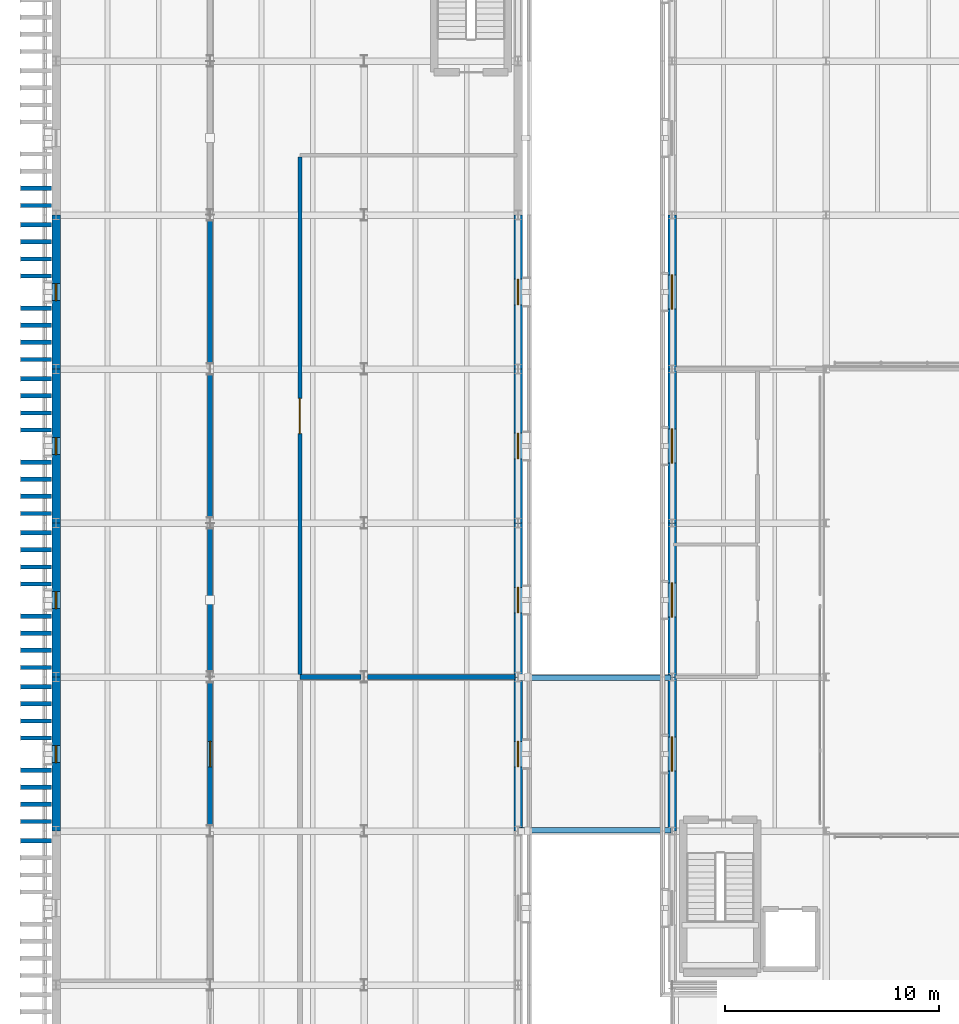
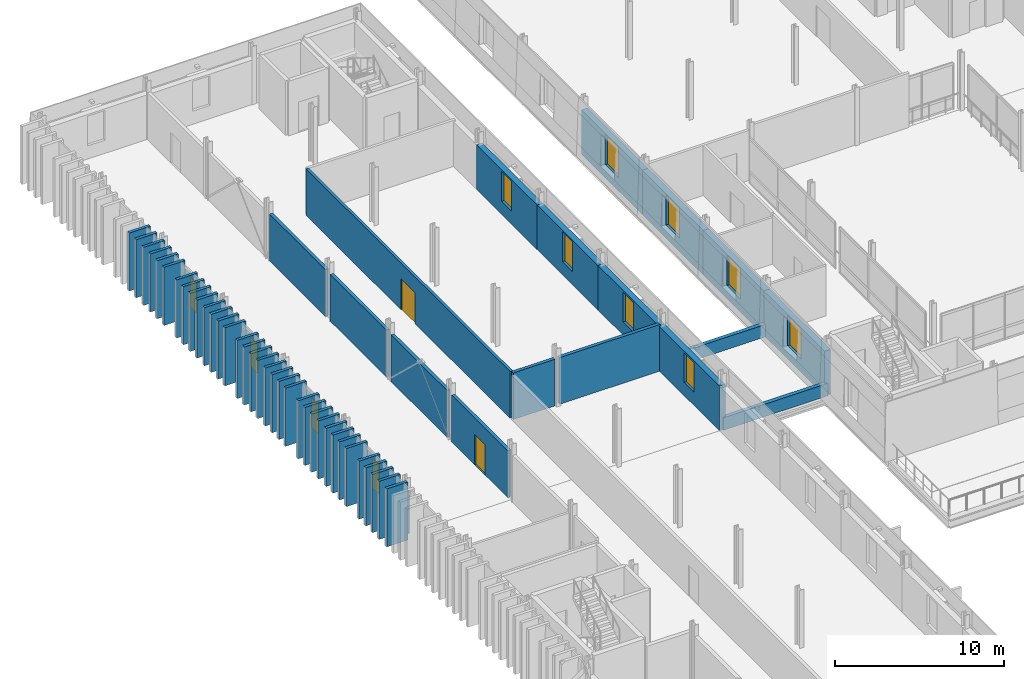
# One storey, part 60 of 91: 56 walls, 12 windows, 2 doors, 14 openings.
"""IFC4 building model written with IfcOpenShell, lengths in metres."""

from ifc_helpers import new_model, si_unit, direction, frame, frame_2d, origin, place, context, subcontext, project, spatial, rectangle, extrude, material, layer, layer_set, type_object, element, fill, save


model = new_model("IFC4")

# Units and contexts
model_context = context("Model", 3, precision=1e-05, world=origin(), true_north=direction((0.0, 1.0)))
body_context = subcontext(model_context, "Body", "Model", "MODEL_VIEW")
ifc_project = project(units=[si_unit("LENGTHUNIT", "METRE"), si_unit("AREAUNIT", "SQUARE_METRE"), si_unit("VOLUMEUNIT", "CUBIC_METRE"), si_unit("PLANEANGLEUNIT", "RADIAN"), si_unit("MASSUNIT", "GRAM", prefix="KILO")], contexts=[model_context])

# Site, building, storey
site_placement = place(None, origin())
site = spatial("IfcSite", under=ifc_project, at=site_placement, CompositionType="ELEMENT")
building_placement = place(site_placement, origin())
building = spatial("IfcBuilding", under=site, at=building_placement, Name="Narikvali Park Central Library", CompositionType="ELEMENT")
storey_placement = place(building_placement, frame((0.0, 0.0, 14.39990234375)))
storey = spatial("IfcBuildingStorey", under=building, at=storey_placement, Name="L03", CompositionType="ELEMENT", Elevation=14.39990234375)

# Walls
ifc_material_1 = material(Name="Reinforced Masonry Blockwork C30/37", Category="masonry")
ifc_layer_1 = layer(ifc_material_1, 0.219970703125, Name="Reinforced Masonry Blockwork C30/37")
ifc_layer_set_1 = layer_set([ifc_layer_1], Name="Reinforced Masonry Blockwork C30/37")
wall_type_1 = type_object("IfcWallType", Name="Archive Fire-Resisting Partition 220", PredefinedType="SOLIDWALL", material=ifc_layer_set_1)
wall_1_placement = place(storey_placement, frame((11.39990234375, 72.0, 0.0), z_axis=(0.0, 0.0, 1.0), x_axis=(1.0, 0.0, 0.0)))
element("IfcWall", 1, at=wall_1_placement, inside=storey, type_object=wall_type_1, Name="Closed Book Stacks L03 Partition N", PredefinedType="SOLIDWALL", context=body_context, shape_type="SweptSolid", body=[
    extrude(rectangle(XDim=2.84619140625, YDim=0.219970703125, at=frame_2d((1.423095703125, 0.0))), origin(), (0.0, 0.0, 1.0), 3.375),
])
wall_2_placement = place(storey_placement, frame((14.553955078125, 72.0, 0.0), z_axis=(0.0, 0.0, 1.0), x_axis=(1.0, 0.0, 0.0)))
element("IfcWall", 2, at=wall_2_placement, inside=storey, type_object=wall_type_1, Name="Closed Book Stacks L03 Partition N", PredefinedType="SOLIDWALL", context=body_context, shape_type="SweptSolid", body=[
    extrude(rectangle(XDim=6.89208984375, YDim=0.219970703125, at=frame_2d((3.446044921875, 0.0))), origin(), (0.0, 0.0, 1.0), 3.375),
])

# Wall, opening, door
wall_3_placement = place(storey_placement, frame((7.199951171875, 65.0791015625, 0.0), z_axis=(0.0, 0.0, 1.0), x_axis=(0.0, 1.0, 0.0)))
wall_3 = element("IfcWall", 3, at=wall_3_placement, inside=storey, type_object=wall_type_1, Name="Compact Mobile Shelving Stacks L03 Partition E", PredefinedType="SOLIDWALL", context=body_context, shape_type="SweptSolid", body=[
    extrude(rectangle(XDim=6.641845703125, YDim=0.219970703125, at=frame_2d((3.32080078125, 0.0))), origin(), (0.0, 0.0, 1.0), 3.385009765625),
])
opening_1_placement = place(wall_3_placement, frame((2.720947265625, 0.0, 0.0)))
opening_1 = element("IfcOpeningElement", 4, at=opening_1_placement, cuts=wall_3, Name="Opening ID-0131", PredefinedType="OPENING", context=body_context, shape_type="SweptSolid", body=[
    extrude(rectangle(XDim=1.199951171875, YDim=2.199951171875, at=frame_2d((0.60009765625, 1.10009765625))), frame((0.0, 0.1220703125, 0.0), z_axis=(0.0, -1.0, 0.0), x_axis=(1.0, 0.0, 0.0)), (0.0, 0.0, 1.0), 0.243896484375),
])
ifc_material_2 = material(Name="Insulated Steel S355 Vault Leaf", Category="steel")
door_type_1 = type_object("IfcDoorType", Name="Archive Vault Heavy Fire Door 1200x2200", OperationType="SINGLE_SWING_LEFT", PredefinedType="DOOR", material=ifc_material_2)
door_1_placement = place(opening_1_placement, origin())
door_1 = element("IfcDoor", 5, at=door_1_placement, inside=storey, type_object=door_type_1, Name="Compact Mobile Shelving Stacks L03 Door ID-0131", OperationType="SINGLE_SWING_LEFT", OverallHeight=2.199951171875, OverallWidth=1.199951171875, PredefinedType="DOOR", context=body_context, shape_type="SweptSolid", body=[
    extrude(rectangle(XDim=1.199951171875, YDim=2.199951171875, at=frame_2d((0.60009765625, 1.10009765625))), frame((0.0, 0.02490234375, 0.0), z_axis=(0.0, -1.0, 0.0), x_axis=(1.0, 0.0, 0.0)), (0.0, 0.0, 1.0), 0.050048828125),
])
fill(opening_1, door_1)

# Walls
wall_4_placement = place(storey_placement, frame((7.199951171875, 72.279052734375, 0.0), z_axis=(0.0, 0.0, 1.0), x_axis=(0.0, 1.0, 0.0)))
element("IfcWall", 6, at=wall_4_placement, inside=storey, type_object=wall_type_1, Name="Compact Mobile Shelving Stacks L03 Partition E", PredefinedType="SOLIDWALL", context=body_context, shape_type="SweptSolid", body=[
    extrude(rectangle(XDim=6.641845703125, YDim=0.219970703125, at=frame_2d((3.32080078125, 0.0))), origin(), (0.0, 0.0, 1.0), 3.385009765625),
])
for number, where, z_axis, x_axis, name in (
    (7, (7.199951171875, 79.47900390625, 0.0), (0.0, 0.0, 1.0), (0.0, 1.0, 0.0), "Compact Mobile Shelving Stacks L03 Partition E"),
    (8, (7.199951171875, 86.678955078125, 0.0), (0.0, 0.0, 1.0), (0.0, 1.0, 0.0), "Compact Mobile Shelving Stacks L03 Partition E"),
):
    element("IfcWall", number, at=place(storey_placement, frame(where, z_axis=z_axis, x_axis=x_axis)), inside=storey, type_object=wall_type_1, Name=name, PredefinedType="SOLIDWALL", context=body_context, shape_type="SweptSolid", body=[
        extrude(rectangle(XDim=6.64208984375, YDim=0.219970703125, at=frame_2d((3.321044921875, 0.0))), origin(), (0.0, 0.0, 1.0), 3.385009765625),
    ])
ifc_material_3 = material(Name="Kiln-Fired Terracotta Red Brick Masonry", Category="masonry")
ifc_layer_2 = layer(ifc_material_3, 0.199951171875, Name="Kiln-Fired Terracotta Red Brick Masonry")
ifc_layer_set_2 = layer_set([ifc_layer_2], Name="Kiln-Fired Terracotta Red Brick Masonry")
wall_type_2 = type_object("IfcWallType", Name="Kiln-Fired Red Brick Vertical Fin Wall 200", PredefinedType="SOLIDWALL", material=ifc_layer_set_2)
for number, where, z_axis, x_axis, name in (
    (9, (-1.659912109375, 64.35009765625, 0.0), (0.0, 0.0, 1.0), (1.0, 0.0, 0.0), "West Stacks Red Brick Vertical Fin Pier 214"),
    (10, (-1.659912109375, 65.25, 0.0), (0.0, 0.0, 1.0), (1.0, 0.0, 0.0), "West Stacks Red Brick Vertical Fin Pier 220"),
    (11, (-1.659912109375, 66.050048828125, 0.0), (0.0, 0.0, 1.0), (1.0, 0.0, 0.0), "West Stacks Red Brick Vertical Fin Pier 226"),
    (12, (-1.659912109375, 66.85009765625, 0.0), (0.0, 0.0, 1.0), (1.0, 0.0, 0.0), "West Stacks Red Brick Vertical Fin Pier 232"),
    (13, (-1.659912109375, 67.64990234375, 0.0), (0.0, 0.0, 1.0), (1.0, 0.0, 0.0), "West Stacks Red Brick Vertical Fin Pier 238"),
    (14, (-1.659912109375, 69.14990234375, 0.0), (0.0, 0.0, 1.0), (1.0, 0.0, 0.0), "West Stacks Red Brick Vertical Fin Pier 244"),
    (15, (-1.659912109375, 69.949951171875, 0.0), (0.0, 0.0, 1.0), (1.0, 0.0, 0.0), "West Stacks Red Brick Vertical Fin Pier 250"),
    (16, (-1.659912109375, 70.75, 0.0), (0.0, 0.0, 1.0), (1.0, 0.0, 0.0), "West Stacks Red Brick Vertical Fin Pier 256"),
    (17, (-1.659912109375, 71.550048828125, 0.0), (0.0, 0.0, 1.0), (1.0, 0.0, 0.0), "West Stacks Red Brick Vertical Fin Pier 262"),
    (18, (-1.659912109375, 72.449951171875, 0.0), (0.0, 0.0, 1.0), (1.0, 0.0, 0.0), "West Stacks Red Brick Vertical Fin Pier 268"),
    (19, (-1.659912109375, 73.25, 0.0), (0.0, 0.0, 1.0), (1.0, 0.0, 0.0), "West Stacks Red Brick Vertical Fin Pier 274"),
    (20, (-1.659912109375, 74.050048828125, 0.0), (0.0, 0.0, 1.0), (1.0, 0.0, 0.0), "West Stacks Red Brick Vertical Fin Pier 280"),
    (21, (-1.659912109375, 74.85009765625, 0.0), (0.0, 0.0, 1.0), (1.0, 0.0, 0.0), "West Stacks Red Brick Vertical Fin Pier 286"),
    (22, (-1.659912109375, 76.35009765625, 0.0), (0.0, 0.0, 1.0), (1.0, 0.0, 0.0), "West Stacks Red Brick Vertical Fin Pier 292"),
    (23, (-1.659912109375, 77.14990234375, 0.0), (0.0, 0.0, 1.0), (1.0, 0.0, 0.0), "West Stacks Red Brick Vertical Fin Pier 298"),
    (24, (-1.659912109375, 77.949951171875, 0.0), (0.0, 0.0, 1.0), (1.0, 0.0, 0.0), "West Stacks Red Brick Vertical Fin Pier 304"),
    (25, (-1.659912109375, 78.75, 0.0), (0.0, 0.0, 1.0), (1.0, 0.0, 0.0), "West Stacks Red Brick Vertical Fin Pier 310"),
    (26, (-1.659912109375, 79.64990234375, 0.0), (0.0, 0.0, 1.0), (1.0, 0.0, 0.0), "West Stacks Red Brick Vertical Fin Pier 316"),
    (27, (-1.659912109375, 80.449951171875, 0.0), (0.0, 0.0, 1.0), (1.0, 0.0, 0.0), "West Stacks Red Brick Vertical Fin Pier 322"),
    (28, (-1.659912109375, 81.25, 0.0), (0.0, 0.0, 1.0), (1.0, 0.0, 0.0), "West Stacks Red Brick Vertical Fin Pier 328"),
    (29, (-1.659912109375, 82.050048828125, 0.0), (0.0, 0.0, 1.0), (1.0, 0.0, 0.0), "West Stacks Red Brick Vertical Fin Pier 334"),
    (30, (-1.659912109375, 83.550048828125, 0.0), (0.0, 0.0, 1.0), (1.0, 0.0, 0.0), "West Stacks Red Brick Vertical Fin Pier 340"),
    (31, (-1.659912109375, 84.35009765625, 0.0), (0.0, 0.0, 1.0), (1.0, 0.0, 0.0), "West Stacks Red Brick Vertical Fin Pier 346"),
    (32, (-1.659912109375, 85.14990234375, 0.0), (0.0, 0.0, 1.0), (1.0, 0.0, 0.0), "West Stacks Red Brick Vertical Fin Pier 352"),
    (33, (-1.659912109375, 85.949951171875, 0.0), (0.0, 0.0, 1.0), (1.0, 0.0, 0.0), "West Stacks Red Brick Vertical Fin Pier 358"),
    (34, (-1.659912109375, 86.85009765625, 0.0), (0.0, 0.0, 1.0), (1.0, 0.0, 0.0), "West Stacks Red Brick Vertical Fin Pier 364"),
    (35, (-1.659912109375, 87.64990234375, 0.0), (0.0, 0.0, 1.0), (1.0, 0.0, 0.0), "West Stacks Red Brick Vertical Fin Pier 370"),
    (36, (-1.659912109375, 88.449951171875, 0.0), (0.0, 0.0, 1.0), (1.0, 0.0, 0.0), "West Stacks Red Brick Vertical Fin Pier 376"),
    (37, (-1.659912109375, 89.25, 0.0), (0.0, 0.0, 1.0), (1.0, 0.0, 0.0), "West Stacks Red Brick Vertical Fin Pier 382"),
    (38, (-1.659912109375, 90.75, 0.0), (0.0, 0.0, 1.0), (1.0, 0.0, 0.0), "West Stacks Red Brick Vertical Fin Pier 388"),
    (39, (-1.659912109375, 91.550048828125, 0.0), (0.0, 0.0, 1.0), (1.0, 0.0, 0.0), "West Stacks Red Brick Vertical Fin Pier 394"),
    (40, (-1.659912109375, 92.35009765625, 0.0), (0.0, 0.0, 1.0), (1.0, 0.0, 0.0), "West Stacks Red Brick Vertical Fin Pier 400"),
    (41, (-1.659912109375, 93.14990234375, 0.0), (0.0, 0.0, 1.0), (1.0, 0.0, 0.0), "West Stacks Red Brick Vertical Fin Pier 406"),
    (42, (-1.659912109375, 94.050048828125, 0.0), (0.0, 0.0, 1.0), (1.0, 0.0, 0.0), "West Stacks Red Brick Vertical Fin Pier 412"),
    (43, (-1.659912109375, 94.85009765625, 0.0), (0.0, 0.0, 1.0), (1.0, 0.0, 0.0), "West Stacks Red Brick Vertical Fin Pier 418"),
):
    element("IfcWall", number, at=place(storey_placement, frame(where, z_axis=z_axis, x_axis=x_axis)), inside=storey, type_object=wall_type_2, Name=name, PredefinedType="SOLIDWALL", context=body_context, shape_type="SweptSolid", body=[
        extrude(rectangle(XDim=1.43994140625, YDim=0.199951171875, at=frame_2d((0.719970703125, 0.0))), origin(), (0.0, 0.0, 1.0), 4.2001953125),
    ])

# Wall, opening, door
ifc_material_4 = material(Name="Acoustic Gypsum on Steel Studs", Category="steel")
ifc_layer_3 = layer(ifc_material_4, 0.179931640625, Name="Acoustic Gypsum on Steel Studs")
ifc_layer_set_3 = layer_set([ifc_layer_3], Name="Acoustic Gypsum on Steel Studs")
wall_type_3 = type_object("IfcWallType", Name="Reading Room Acoustic Partition 180", PredefinedType="PARTITIONING", material=ifc_layer_set_3)
wall_5_placement = place(storey_placement, frame((11.39990234375, 72.112060546875, 0.0), z_axis=(0.0, 0.0, 1.0), x_axis=(0.0, 1.0, 0.0)))
wall_5 = element("IfcWall", 44, at=wall_5_placement, inside=storey, type_object=wall_type_3, Name="Scholars Research Reading Room L03 Partition W", PredefinedType="PARTITIONING", context=body_context, shape_type="SweptSolid", body=[
    extrude(rectangle(XDim=24.196044921875, YDim=0.179931640625, at=frame_2d((12.09814453125, 0.0))), origin(), (0.0, 0.0, 1.0), 3.375),
])
opening_2_placement = place(wall_5_placement, frame((11.27294921875, 0.0, 0.0)))
opening_2 = element("IfcOpeningElement", 45, at=opening_2_placement, cuts=wall_5, Name="Opening ID-0133", PredefinedType="OPENING", context=body_context, shape_type="SweptSolid", body=[
    extrude(rectangle(XDim=1.64990234375, YDim=2.25, at=frame_2d((0.824951171875, 1.125))), frame((0.0, 0.10205078125, 0.0), z_axis=(0.0, -1.0, 0.0), x_axis=(1.0, 0.0, 0.0)), (0.0, 0.0, 1.0), 0.203857421875),
])
ifc_material_5 = material(Name="Caucasian Oak and Tempered Glass", Category="glass")
door_type_2 = type_object("IfcDoorType", Name="Open Stacks Double Glazed Door 1650x2250", OperationType="DOUBLE_DOOR_SINGLE_SWING", PredefinedType="DOOR", material=ifc_material_5)
door_2_placement = place(opening_2_placement, frame((1.64990234375, 0.0, 0.0), z_axis=(0.0, 0.0, 1.0), x_axis=(-1.0, 0.0, 0.0)))
door_2 = element("IfcDoor", 46, at=door_2_placement, inside=storey, type_object=door_type_2, Name="Scholars Research Reading Room L03 Door ID-0133", OperationType="DOUBLE_DOOR_SINGLE_SWING", OverallHeight=2.25, OverallWidth=1.64990234375, PredefinedType="DOOR", context=body_context, shape_type="SweptSolid", body=[
    extrude(rectangle(XDim=1.64990234375, YDim=2.25, at=frame_2d((0.824951171875, 1.125))), frame((0.0, 0.02490234375, 0.0), z_axis=(0.0, -1.0, 0.0), x_axis=(1.0, 0.0, 0.0)), (0.0, 0.0, 1.0), 0.050048828125),
])
fill(opening_2, door_2)

# Walls
ifc_material_6 = material(Name="White Honed Limestone over Concrete C35/45", Category="masonry")
ifc_layer_4 = layer(ifc_material_6, 0.260009765625, Name="White Honed Limestone over Concrete C35/45")
ifc_layer_set_4 = layer_set([ifc_layer_4], Name="White Honed Limestone over Concrete C35/45")
wall_type_4 = type_object("IfcWallType", Name="Terrace Garden Parapet Wall 260", PredefinedType="PARAPET", material=ifc_layer_set_4)
for number, where, z_axis, x_axis, name in (
    (47, (21.639892578125, 64.840087890625, 0.0), (0.0, 0.0, 1.0), (1.0, 0.0, 0.0), "BRG-1 Roof Parapet S"),
    (48, (28.760009765625, 71.9599609375, 0.0), (0.0, 0.0, 1.0), (-1.0, 0.0, 0.0), "BRG-1 Roof Parapet N"),
):
    element("IfcWall", number, at=place(storey_placement, frame(where, z_axis=z_axis, x_axis=x_axis)), inside=storey, type_object=wall_type_4, Name=name, PredefinedType="PARAPET", context=body_context, shape_type="SweptSolid", body=[
        extrude(rectangle(XDim=7.1201171875, YDim=0.260009765625, at=frame_2d((3.56005859375, 0.0))), origin(), (0.0, 0.0, 1.0), 0.900146484375),
    ])

# Wall, opening, window
ifc_layer_5 = layer(ifc_material_6, 0.39990234375, Name="White Honed Limestone over Concrete C35/45")
ifc_layer_set_5 = layer_set([ifc_layer_5], Name="White Honed Limestone over Concrete C35/45")
wall_type_5 = type_object("IfcWallType", Name="White Limestone Battered Tier3 Wall 400", PredefinedType="SOLIDWALL", material=ifc_layer_set_5)
wall_6_placement = place(storey_placement, frame((28.800048828125, 93.60009765625, 0.0), z_axis=(0.0, 0.0, 1.0), x_axis=(0.0, -1.0, 0.0)))
wall_6 = element("IfcWall", 49, at=wall_6_placement, inside=storey, type_object=wall_type_5, Name="V4 L03 W Exterior Limestone Wall B04", PredefinedType="SOLIDWALL", context=body_context, shape_type="SweptSolid", body=[
    extrude(rectangle(XDim=7.2001953125, YDim=0.39990234375, at=frame_2d((3.60009765625, 0.0))), origin(), (0.0, 0.0, 1.0), 3.22021484375),
])
opening_3_placement = place(wall_6_placement, frame((2.800048828125, 0.0, 0.949951171875)))
opening_3 = element("IfcOpeningElement", 50, at=opening_3_placement, cuts=wall_6, Name="Opening WIN-0201", PredefinedType="OPENING", context=body_context, shape_type="SweptSolid", body=[
    extrude(rectangle(XDim=1.60009765625, YDim=2.199951171875, at=frame_2d((0.800048828125, 1.10009765625))), frame((0.0, 0.2119140625, 0.0), z_axis=(0.0, -1.0, 0.0), x_axis=(1.0, 0.0, 0.0)), (0.0, 0.0, 1.0), 0.423828125),
])
ifc_material_7 = material(Name="Anodised Bronze Aluminium and Low-E Triple Glazing", Category="aluminium")
window_type_1 = type_object("IfcWindowType", Name="Atrium Reading Wing Classical Window 1600x2200", PartitioningType="DOUBLE_PANEL_VERTICAL", PredefinedType="WINDOW", material=ifc_material_7)
window_1_placement = place(opening_3_placement, origin())
window_1 = element("IfcWindow", 51, at=window_1_placement, inside=storey, type_object=window_type_1, Name="V4 L03 W Deep-Reveal Window WIN-0201", OverallHeight=2.199951171875, OverallWidth=1.60009765625, PartitioningType="SINGLE_PANEL", PredefinedType="WINDOW", context=body_context, shape_type="SweptSolid", body=[
    extrude(rectangle(XDim=1.60009765625, YDim=2.199951171875, at=frame_2d((0.800048828125, 1.10009765625))), frame((0.0, 0.030029296875, 0.0), z_axis=(0.0, -1.0, 0.0), x_axis=(1.0, 0.0, 0.0)), (0.0, 0.0, 1.0), 0.06005859375),
])
fill(opening_3, window_1)

wall_7_placement = place(storey_placement, frame((28.800048828125, 86.39990234375, 0.0), z_axis=(0.0, 0.0, 1.0), x_axis=(0.0, -1.0, 0.0)))
wall_7 = element("IfcWall", 52, at=wall_7_placement, inside=storey, type_object=wall_type_5, Name="V4 L03 W Exterior Limestone Wall B05", PredefinedType="SOLIDWALL", context=body_context, shape_type="SweptSolid", body=[
    extrude(rectangle(XDim=7.199951171875, YDim=0.39990234375, at=frame_2d((3.60009765625, 0.0))), origin(), (0.0, 0.0, 1.0), 3.22021484375),
])
opening_4_placement = place(wall_7_placement, frame((2.800048828125, 0.0, 0.949951171875)))
opening_4 = element("IfcOpeningElement", 53, at=opening_4_placement, cuts=wall_7, Name="Opening WIN-0202", PredefinedType="OPENING", context=body_context, shape_type="SweptSolid", body=[
    extrude(rectangle(XDim=1.60009765625, YDim=2.199951171875, at=frame_2d((0.800048828125, 1.10009765625))), frame((0.0, 0.2119140625, 0.0), z_axis=(0.0, -1.0, 0.0), x_axis=(1.0, 0.0, 0.0)), (0.0, 0.0, 1.0), 0.423828125),
])
window_2_placement = place(opening_4_placement, origin())
window_2 = element("IfcWindow", 54, at=window_2_placement, inside=storey, type_object=window_type_1, Name="V4 L03 W Deep-Reveal Window WIN-0202", OverallHeight=2.199951171875, OverallWidth=1.60009765625, PartitioningType="SINGLE_PANEL", PredefinedType="WINDOW", context=body_context, shape_type="SweptSolid", body=[
    extrude(rectangle(XDim=1.60009765625, YDim=2.199951171875, at=frame_2d((0.800048828125, 1.10009765625))), frame((0.0, 0.030029296875, 0.0), z_axis=(0.0, -1.0, 0.0), x_axis=(1.0, 0.0, 0.0)), (0.0, 0.0, 1.0), 0.06005859375),
])
fill(opening_4, window_2)

wall_8_placement = place(storey_placement, frame((28.800048828125, 79.199951171875, 0.0), z_axis=(0.0, 0.0, 1.0), x_axis=(0.0, -1.0, 0.0)))
wall_8 = element("IfcWall", 55, at=wall_8_placement, inside=storey, type_object=wall_type_5, Name="V4 L03 W Exterior Limestone Wall B06", PredefinedType="SOLIDWALL", context=body_context, shape_type="SweptSolid", body=[
    extrude(rectangle(XDim=7.199951171875, YDim=0.39990234375, at=frame_2d((3.60009765625, 0.0))), origin(), (0.0, 0.0, 1.0), 3.22021484375),
])
opening_5_placement = place(wall_8_placement, frame((2.800048828125, 0.0, 0.949951171875)))
opening_5 = element("IfcOpeningElement", 56, at=opening_5_placement, cuts=wall_8, Name="Opening WIN-0203", PredefinedType="OPENING", context=body_context, shape_type="SweptSolid", body=[
    extrude(rectangle(XDim=1.60009765625, YDim=2.199951171875, at=frame_2d((0.800048828125, 1.10009765625))), frame((0.0, 0.2119140625, 0.0), z_axis=(0.0, -1.0, 0.0), x_axis=(1.0, 0.0, 0.0)), (0.0, 0.0, 1.0), 0.423828125),
])
window_3_placement = place(opening_5_placement, origin())
window_3 = element("IfcWindow", 57, at=window_3_placement, inside=storey, type_object=window_type_1, Name="V4 L03 W Deep-Reveal Window WIN-0203", OverallHeight=2.199951171875, OverallWidth=1.60009765625, PartitioningType="SINGLE_PANEL", PredefinedType="WINDOW", context=body_context, shape_type="SweptSolid", body=[
    extrude(rectangle(XDim=1.60009765625, YDim=2.199951171875, at=frame_2d((0.800048828125, 1.10009765625))), frame((0.0, 0.030029296875, 0.0), z_axis=(0.0, -1.0, 0.0), x_axis=(1.0, 0.0, 0.0)), (0.0, 0.0, 1.0), 0.06005859375),
])
fill(opening_5, window_3)

wall_9_placement = place(storey_placement, frame((28.800048828125, 72.0, 0.0), z_axis=(0.0, 0.0, 1.0), x_axis=(0.0, -1.0, 0.0)))
wall_9 = element("IfcWall", 58, at=wall_9_placement, inside=storey, type_object=wall_type_5, Name="V4 L03 W Exterior Limestone Wall B07", PredefinedType="SOLIDWALL", context=body_context, shape_type="SweptSolid", body=[
    extrude(rectangle(XDim=7.199951171875, YDim=0.39990234375, at=frame_2d((3.60009765625, 0.0))), origin(), (0.0, 0.0, 1.0), 3.22021484375),
])
opening_6_placement = place(wall_9_placement, frame((2.800048828125, 0.0, 0.949951171875)))
opening_6 = element("IfcOpeningElement", 59, at=opening_6_placement, cuts=wall_9, Name="Opening WIN-0204", PredefinedType="OPENING", context=body_context, shape_type="SweptSolid", body=[
    extrude(rectangle(XDim=1.60009765625, YDim=2.199951171875, at=frame_2d((0.800048828125, 1.10009765625))), frame((0.0, 0.2119140625, 0.0), z_axis=(0.0, -1.0, 0.0), x_axis=(1.0, 0.0, 0.0)), (0.0, 0.0, 1.0), 0.423828125),
])
window_4_placement = place(opening_6_placement, origin())
window_4 = element("IfcWindow", 60, at=window_4_placement, inside=storey, type_object=window_type_1, Name="V4 L03 W Deep-Reveal Window WIN-0204", OverallHeight=2.199951171875, OverallWidth=1.60009765625, PartitioningType="SINGLE_PANEL", PredefinedType="WINDOW", context=body_context, shape_type="SweptSolid", body=[
    extrude(rectangle(XDim=1.60009765625, YDim=2.199951171875, at=frame_2d((0.800048828125, 1.10009765625))), frame((0.0, 0.030029296875, 0.0), z_axis=(0.0, -1.0, 0.0), x_axis=(1.0, 0.0, 0.0)), (0.0, 0.0, 1.0), 0.06005859375),
])
fill(opening_6, window_4)

wall_10_placement = place(storey_placement, frame((21.60009765625, 64.800048828125, 0.0), z_axis=(0.0, 0.0, 1.0), x_axis=(0.0, 1.0, 0.0)))
wall_10 = element("IfcWall", 61, at=wall_10_placement, inside=storey, type_object=wall_type_5, Name="V5 L03 E Exterior Limestone Wall B06", PredefinedType="SOLIDWALL", context=body_context, shape_type="SweptSolid", body=[
    extrude(rectangle(XDim=7.199951171875, YDim=0.39990234375, at=frame_2d((3.60009765625, 0.0))), origin(), (0.0, 0.0, 1.0), 3.22021484375),
])
opening_7_placement = place(wall_10_placement, frame((3.0, 0.0, 0.949951171875)))
opening_7 = element("IfcOpeningElement", 62, at=opening_7_placement, cuts=wall_10, Name="Opening WIN-0290", PredefinedType="OPENING", context=body_context, shape_type="SweptSolid", body=[
    extrude(rectangle(XDim=1.199951171875, YDim=2.14990234375, at=frame_2d((0.60009765625, 1.074951171875))), frame((0.0, 0.2119140625, 0.0), z_axis=(0.0, -1.0, 0.0), x_axis=(1.0, 0.0, 0.0)), (0.0, 0.0, 1.0), 0.423828125),
])
window_type_2 = type_object("IfcWindowType", Name="Stacks Archive Deep-Reveal Punched Window 1200x2150", PartitioningType="SINGLE_PANEL", PredefinedType="WINDOW", material=ifc_material_7)
window_5_placement = place(opening_7_placement, origin())
window_5 = element("IfcWindow", 63, at=window_5_placement, inside=storey, type_object=window_type_2, Name="V5 L03 E Deep-Reveal Window WIN-0290", OverallHeight=2.14990234375, OverallWidth=1.199951171875, PartitioningType="SINGLE_PANEL", PredefinedType="WINDOW", context=body_context, shape_type="SweptSolid", body=[
    extrude(rectangle(XDim=1.199951171875, YDim=2.14990234375, at=frame_2d((0.60009765625, 1.074951171875))), frame((0.0, 0.030029296875, 0.0), z_axis=(0.0, -1.0, 0.0), x_axis=(1.0, 0.0, 0.0)), (0.0, 0.0, 1.0), 0.06005859375),
])
fill(opening_7, window_5)

wall_11_placement = place(storey_placement, frame((21.60009765625, 72.0, 0.0), z_axis=(0.0, 0.0, 1.0), x_axis=(0.0, 1.0, 0.0)))
wall_11 = element("IfcWall", 64, at=wall_11_placement, inside=storey, type_object=wall_type_5, Name="V5 L03 E Exterior Limestone Wall B07", PredefinedType="SOLIDWALL", context=body_context, shape_type="SweptSolid", body=[
    extrude(rectangle(XDim=7.199951171875, YDim=0.39990234375, at=frame_2d((3.60009765625, 0.0))), origin(), (0.0, 0.0, 1.0), 3.22021484375),
])
opening_8_placement = place(wall_11_placement, frame((3.0, 0.0, 0.949951171875)))
opening_8 = element("IfcOpeningElement", 65, at=opening_8_placement, cuts=wall_11, Name="Opening WIN-0291", PredefinedType="OPENING", context=body_context, shape_type="SweptSolid", body=[
    extrude(rectangle(XDim=1.199951171875, YDim=2.14990234375, at=frame_2d((0.60009765625, 1.074951171875))), frame((0.0, 0.2119140625, 0.0), z_axis=(0.0, -1.0, 0.0), x_axis=(1.0, 0.0, 0.0)), (0.0, 0.0, 1.0), 0.423828125),
])
window_6_placement = place(opening_8_placement, origin())
window_6 = element("IfcWindow", 66, at=window_6_placement, inside=storey, type_object=window_type_2, Name="V5 L03 E Deep-Reveal Window WIN-0291", OverallHeight=2.14990234375, OverallWidth=1.199951171875, PartitioningType="SINGLE_PANEL", PredefinedType="WINDOW", context=body_context, shape_type="SweptSolid", body=[
    extrude(rectangle(XDim=1.199951171875, YDim=2.14990234375, at=frame_2d((0.60009765625, 1.074951171875))), frame((0.0, 0.030029296875, 0.0), z_axis=(0.0, -1.0, 0.0), x_axis=(1.0, 0.0, 0.0)), (0.0, 0.0, 1.0), 0.06005859375),
])
fill(opening_8, window_6)

wall_12_placement = place(storey_placement, frame((21.60009765625, 79.199951171875, 0.0), z_axis=(0.0, 0.0, 1.0), x_axis=(0.0, 1.0, 0.0)))
wall_12 = element("IfcWall", 67, at=wall_12_placement, inside=storey, type_object=wall_type_5, Name="V5 L03 E Exterior Limestone Wall B08", PredefinedType="SOLIDWALL", context=body_context, shape_type="SweptSolid", body=[
    extrude(rectangle(XDim=7.199951171875, YDim=0.39990234375, at=frame_2d((3.60009765625, 0.0))), origin(), (0.0, 0.0, 1.0), 3.22021484375),
])
opening_9_placement = place(wall_12_placement, frame((3.0, 0.0, 0.949951171875)))
opening_9 = element("IfcOpeningElement", 68, at=opening_9_placement, cuts=wall_12, Name="Opening WIN-0292", PredefinedType="OPENING", context=body_context, shape_type="SweptSolid", body=[
    extrude(rectangle(XDim=1.199951171875, YDim=2.14990234375, at=frame_2d((0.60009765625, 1.074951171875))), frame((0.0, 0.2119140625, 0.0), z_axis=(0.0, -1.0, 0.0), x_axis=(1.0, 0.0, 0.0)), (0.0, 0.0, 1.0), 0.423828125),
])
window_7_placement = place(opening_9_placement, origin())
window_7 = element("IfcWindow", 69, at=window_7_placement, inside=storey, type_object=window_type_2, Name="V5 L03 E Deep-Reveal Window WIN-0292", OverallHeight=2.14990234375, OverallWidth=1.199951171875, PartitioningType="SINGLE_PANEL", PredefinedType="WINDOW", context=body_context, shape_type="SweptSolid", body=[
    extrude(rectangle(XDim=1.199951171875, YDim=2.14990234375, at=frame_2d((0.60009765625, 1.074951171875))), frame((0.0, 0.030029296875, 0.0), z_axis=(0.0, -1.0, 0.0), x_axis=(1.0, 0.0, 0.0)), (0.0, 0.0, 1.0), 0.06005859375),
])
fill(opening_9, window_7)

wall_13_placement = place(storey_placement, frame((21.60009765625, 86.39990234375, 0.0), z_axis=(0.0, 0.0, 1.0), x_axis=(0.0, 1.0, 0.0)))
wall_13 = element("IfcWall", 70, at=wall_13_placement, inside=storey, type_object=wall_type_5, Name="V5 L03 E Exterior Limestone Wall B09", PredefinedType="SOLIDWALL", context=body_context, shape_type="SweptSolid", body=[
    extrude(rectangle(XDim=7.2001953125, YDim=0.39990234375, at=frame_2d((3.60009765625, 0.0))), origin(), (0.0, 0.0, 1.0), 3.22021484375),
])
opening_10_placement = place(wall_13_placement, frame((3.0, 0.0, 0.949951171875)))
opening_10 = element("IfcOpeningElement", 71, at=opening_10_placement, cuts=wall_13, Name="Opening WIN-0293", PredefinedType="OPENING", context=body_context, shape_type="SweptSolid", body=[
    extrude(rectangle(XDim=1.199951171875, YDim=2.14990234375, at=frame_2d((0.60009765625, 1.074951171875))), frame((0.0, 0.2119140625, 0.0), z_axis=(0.0, -1.0, 0.0), x_axis=(1.0, 0.0, 0.0)), (0.0, 0.0, 1.0), 0.423828125),
])
window_8_placement = place(opening_10_placement, origin())
window_8 = element("IfcWindow", 72, at=window_8_placement, inside=storey, type_object=window_type_2, Name="V5 L03 E Deep-Reveal Window WIN-0293", OverallHeight=2.14990234375, OverallWidth=1.199951171875, PartitioningType="SINGLE_PANEL", PredefinedType="WINDOW", context=body_context, shape_type="SweptSolid", body=[
    extrude(rectangle(XDim=1.199951171875, YDim=2.14990234375, at=frame_2d((0.60009765625, 1.074951171875))), frame((0.0, 0.030029296875, 0.0), z_axis=(0.0, -1.0, 0.0), x_axis=(1.0, 0.0, 0.0)), (0.0, 0.0, 1.0), 0.06005859375),
])
fill(opening_10, window_8)

wall_14_placement = place(storey_placement, frame((0.0, 93.60009765625, 0.0), z_axis=(0.0, 0.0, 1.0), x_axis=(0.0, -1.0, 0.0)))
wall_14 = element("IfcWall", 73, at=wall_14_placement, inside=storey, type_object=wall_type_5, Name="V5 L03 W Exterior Limestone Wall B03", PredefinedType="SOLIDWALL", context=body_context, shape_type="SweptSolid", body=[
    extrude(rectangle(XDim=7.2001953125, YDim=0.39990234375, at=frame_2d((3.60009765625, 0.0))), origin(), (0.0, 0.0, 1.0), 3.06005859375),
])
opening_11_placement = place(wall_14_placement, frame((3.199951171875, 0.0, 0.949951171875)))
opening_11 = element("IfcOpeningElement", 74, at=opening_11_placement, cuts=wall_14, Name="Opening WIN-0299", PredefinedType="OPENING", context=body_context, shape_type="SweptSolid", body=[
    extrude(rectangle(XDim=0.800048828125, YDim=2.14990234375, at=frame_2d((0.39990234375, 1.074951171875))), frame((0.0, 0.2119140625, 0.0), z_axis=(0.0, -1.0, 0.0), x_axis=(1.0, 0.0, 0.0)), (0.0, 0.0, 1.0), 0.423828125),
])
window_type_3 = type_object("IfcWindowType", Name="West Fin-Bay Narrow Carrel Slot Window 800x2150", PartitioningType="SINGLE_PANEL", PredefinedType="WINDOW", material=ifc_material_7)
window_9_placement = place(opening_11_placement, origin())
window_9 = element("IfcWindow", 75, at=window_9_placement, inside=storey, type_object=window_type_3, Name="V5 L03 W Deep-Reveal Window WIN-0299", OverallHeight=2.14990234375, OverallWidth=0.800048828125, PartitioningType="SINGLE_PANEL", PredefinedType="WINDOW", context=body_context, shape_type="SweptSolid", body=[
    extrude(rectangle(XDim=0.800048828125, YDim=2.14990234375, at=frame_2d((0.39990234375, 1.074951171875))), frame((0.0, 0.030029296875, 0.0), z_axis=(0.0, -1.0, 0.0), x_axis=(1.0, 0.0, 0.0)), (0.0, 0.0, 1.0), 0.06005859375),
])
fill(opening_11, window_9)

wall_15_placement = place(storey_placement, frame((0.0, 86.39990234375, 0.0), z_axis=(0.0, 0.0, 1.0), x_axis=(0.0, -1.0, 0.0)))
wall_15 = element("IfcWall", 76, at=wall_15_placement, inside=storey, type_object=wall_type_5, Name="V5 L03 W Exterior Limestone Wall B04", PredefinedType="SOLIDWALL", context=body_context, shape_type="SweptSolid", body=[
    extrude(rectangle(XDim=7.199951171875, YDim=0.39990234375, at=frame_2d((3.60009765625, 0.0))), origin(), (0.0, 0.0, 1.0), 3.06005859375),
])
opening_12_placement = place(wall_15_placement, frame((3.199951171875, 0.0, 0.949951171875)))
opening_12 = element("IfcOpeningElement", 77, at=opening_12_placement, cuts=wall_15, Name="Opening WIN-0300", PredefinedType="OPENING", context=body_context, shape_type="SweptSolid", body=[
    extrude(rectangle(XDim=0.800048828125, YDim=2.14990234375, at=frame_2d((0.39990234375, 1.074951171875))), frame((0.0, 0.2119140625, 0.0), z_axis=(0.0, -1.0, 0.0), x_axis=(1.0, 0.0, 0.0)), (0.0, 0.0, 1.0), 0.423828125),
])
window_10_placement = place(opening_12_placement, origin())
window_10 = element("IfcWindow", 78, at=window_10_placement, inside=storey, type_object=window_type_3, Name="V5 L03 W Deep-Reveal Window WIN-0300", OverallHeight=2.14990234375, OverallWidth=0.800048828125, PartitioningType="SINGLE_PANEL", PredefinedType="WINDOW", context=body_context, shape_type="SweptSolid", body=[
    extrude(rectangle(XDim=0.800048828125, YDim=2.14990234375, at=frame_2d((0.39990234375, 1.074951171875))), frame((0.0, 0.030029296875, 0.0), z_axis=(0.0, -1.0, 0.0), x_axis=(1.0, 0.0, 0.0)), (0.0, 0.0, 1.0), 0.06005859375),
])
fill(opening_12, window_10)

wall_16_placement = place(storey_placement, frame((0.0, 79.199951171875, 0.0), z_axis=(0.0, 0.0, 1.0), x_axis=(0.0, -1.0, 0.0)))
wall_16 = element("IfcWall", 79, at=wall_16_placement, inside=storey, type_object=wall_type_5, Name="V5 L03 W Exterior Limestone Wall B05", PredefinedType="SOLIDWALL", context=body_context, shape_type="SweptSolid", body=[
    extrude(rectangle(XDim=7.199951171875, YDim=0.39990234375, at=frame_2d((3.60009765625, 0.0))), origin(), (0.0, 0.0, 1.0), 3.06005859375),
])
opening_13_placement = place(wall_16_placement, frame((3.199951171875, 0.0, 0.949951171875)))
opening_13 = element("IfcOpeningElement", 80, at=opening_13_placement, cuts=wall_16, Name="Opening WIN-0301", PredefinedType="OPENING", context=body_context, shape_type="SweptSolid", body=[
    extrude(rectangle(XDim=0.800048828125, YDim=2.14990234375, at=frame_2d((0.39990234375, 1.074951171875))), frame((0.0, 0.2119140625, 0.0), z_axis=(0.0, -1.0, 0.0), x_axis=(1.0, 0.0, 0.0)), (0.0, 0.0, 1.0), 0.423828125),
])
window_11_placement = place(opening_13_placement, origin())
window_11 = element("IfcWindow", 81, at=window_11_placement, inside=storey, type_object=window_type_3, Name="V5 L03 W Deep-Reveal Window WIN-0301", OverallHeight=2.14990234375, OverallWidth=0.800048828125, PartitioningType="SINGLE_PANEL", PredefinedType="WINDOW", context=body_context, shape_type="SweptSolid", body=[
    extrude(rectangle(XDim=0.800048828125, YDim=2.14990234375, at=frame_2d((0.39990234375, 1.074951171875))), frame((0.0, 0.030029296875, 0.0), z_axis=(0.0, -1.0, 0.0), x_axis=(1.0, 0.0, 0.0)), (0.0, 0.0, 1.0), 0.06005859375),
])
fill(opening_13, window_11)

wall_17_placement = place(storey_placement, frame((0.0, 72.0, 0.0), z_axis=(0.0, 0.0, 1.0), x_axis=(0.0, -1.0, 0.0)))
wall_17 = element("IfcWall", 82, at=wall_17_placement, inside=storey, type_object=wall_type_5, Name="V5 L03 W Exterior Limestone Wall B06", PredefinedType="SOLIDWALL", context=body_context, shape_type="SweptSolid", body=[
    extrude(rectangle(XDim=7.199951171875, YDim=0.39990234375, at=frame_2d((3.60009765625, 0.0))), origin(), (0.0, 0.0, 1.0), 3.06005859375),
])
opening_14_placement = place(wall_17_placement, frame((3.199951171875, 0.0, 0.949951171875)))
opening_14 = element("IfcOpeningElement", 83, at=opening_14_placement, cuts=wall_17, Name="Opening WIN-0302", PredefinedType="OPENING", context=body_context, shape_type="SweptSolid", body=[
    extrude(rectangle(XDim=0.800048828125, YDim=2.14990234375, at=frame_2d((0.39990234375, 1.074951171875))), frame((0.0, 0.2119140625, 0.0), z_axis=(0.0, -1.0, 0.0), x_axis=(1.0, 0.0, 0.0)), (0.0, 0.0, 1.0), 0.423828125),
])
window_12_placement = place(opening_14_placement, origin())
window_12 = element("IfcWindow", 84, at=window_12_placement, inside=storey, type_object=window_type_3, Name="V5 L03 W Deep-Reveal Window WIN-0302", OverallHeight=2.14990234375, OverallWidth=0.800048828125, PartitioningType="SINGLE_PANEL", PredefinedType="WINDOW", context=body_context, shape_type="SweptSolid", body=[
    extrude(rectangle(XDim=0.800048828125, YDim=2.14990234375, at=frame_2d((0.39990234375, 1.074951171875))), frame((0.0, 0.030029296875, 0.0), z_axis=(0.0, -1.0, 0.0), x_axis=(1.0, 0.0, 0.0)), (0.0, 0.0, 1.0), 0.06005859375),
])
fill(opening_14, window_12)

save(model, "model.ifc")
